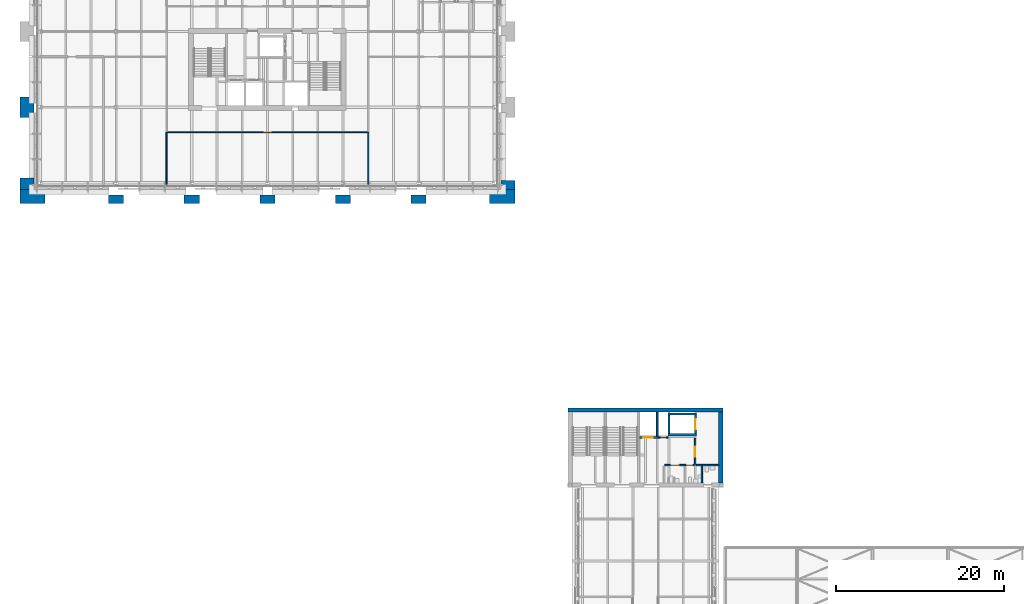
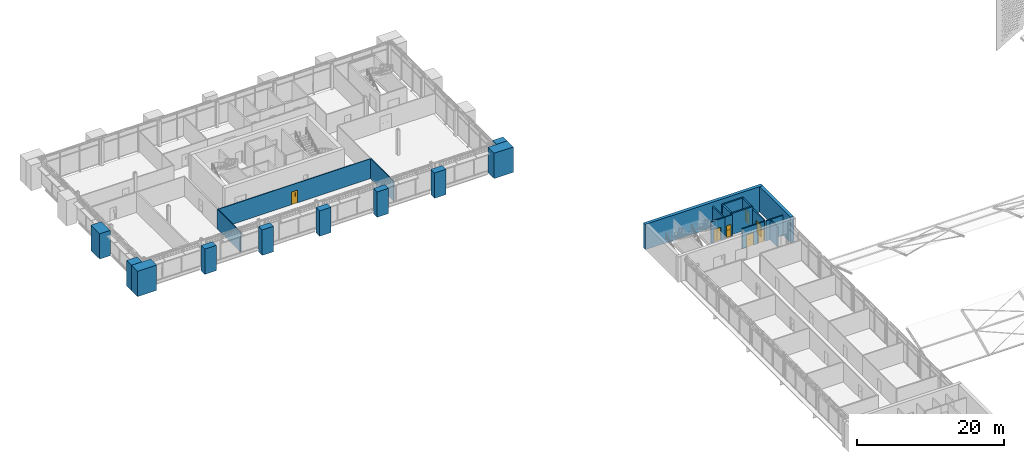
# One storey, part 25 of 54: 28 walls, 7 doors, 7 openings.
"""IFC4 building model written with IfcOpenShell, lengths in metres."""

import ifcopenshell
import ifcopenshell.guid

model = None  # the IFC model being written
_history = None  # IfcOwnerHistory: only IFC2X3 demands one
_inside = {}  # id of a spatial element -> (the spatial element, [elements in it])
_under = {}  # id of a project, library or spatial element -> (it, [spatial elements below it])
_declared = {}  # id of a project -> (the project, [libraries it declares])
_typed = {}  # id of a type object -> (the type object, [elements of that type])
_made_of = {}  # id of a material, layer set ... -> (it, [elements and type objects made of it])


def new_model(schema):
    """Start an empty IFC model of exactly this schema.

    Asked for "IFC4X3", IfcOpenShell would pick the latest addendum, in which some entities
    have other attributes; the version numbers below select the first issue.
    IFC2X3 requires an IfcOwnerHistory on every rooted entity: one is made here for all.
    """
    global model, _history
    if schema == "IFC4X3":
        model = ifcopenshell.file(schema_version=(4, 3, 0, 0))
    else:
        model = ifcopenshell.file(schema=schema)
    _inside.clear()
    _under.clear()
    _declared.clear()
    _typed.clear()
    _made_of.clear()
    _history = None
    if model.schema == "IFC2X3":
        org = make("IfcOrganization", Name="unknown")
        user = make(
            "IfcPersonAndOrganization",
            ThePerson=make("IfcPerson", FamilyName="unknown"),
            TheOrganization=org,
        )
        app = make(
            "IfcApplication",
            ApplicationDeveloper=org,
            Version="unknown",
            ApplicationFullName="unknown",
            ApplicationIdentifier="unknown",
        )
        _history = make(
            "IfcOwnerHistory",
            OwningUser=user,
            OwningApplication=app,
            ChangeAction="ADDED",
            CreationDate=0,
        )
    return model


def make(cls, **values):
    """One entity of the class cls with the attributes given. An attribute that is None is left unset."""
    return model.create_entity(
        cls, **{name: value for name, value in values.items() if value is not None}
    )


def rooted(cls, **values):
    """An entity with a GlobalId (a new one), such as an element, a storey or a relation."""
    return make(cls, GlobalId=ifcopenshell.guid.new(), OwnerHistory=_history, **values)


def si_unit(unit_type, name, prefix=None):
    """IfcSIUnit, for example si_unit("LENGTHUNIT", "METRE", prefix="MILLI")."""
    return make("IfcSIUnit", UnitType=unit_type, Prefix=prefix, Name=name)


def assignment(units):
    """IfcUnitAssignment: the units of a project."""
    return None if units is None else make("IfcUnitAssignment", Units=units)


def point(xyz):
    """IfcCartesianPoint."""
    return None if xyz is None else make("IfcCartesianPoint", Coordinates=xyz)


def direction(xyz):
    """IfcDirection."""
    return None if xyz is None else make("IfcDirection", DirectionRatios=xyz)


def frame(location, z_axis=None, x_axis=None):
    """IfcAxis2Placement3D, a coordinate frame: its origin and axes. An axis left out is left unset."""
    return make(
        "IfcAxis2Placement3D",
        Location=point(location),
        Axis=direction(z_axis),
        RefDirection=direction(x_axis),
    )


def frame_2d(location, x_axis=None):
    """IfcAxis2Placement2D, a coordinate frame in the plane: its origin and x axis."""
    return make(
        "IfcAxis2Placement2D", Location=point(location), RefDirection=direction(x_axis)
    )


def origin():
    """The frame at (0, 0, 0) with its axes left unset."""
    return frame((0.0, 0.0, 0.0))


def place(relative_to, where):
    """IfcLocalPlacement: puts the frame where relative to a parent placement (None: the world)."""
    return make(
        "IfcLocalPlacement", PlacementRelTo=relative_to, RelativePlacement=where
    )


def context(
    kind, dimensions, precision=None, world=None, true_north=None, identifier=None
):
    """IfcGeometricRepresentationContext, for example the 3D "Model" context."""
    return make(
        "IfcGeometricRepresentationContext",
        ContextIdentifier=identifier,
        ContextType=kind,
        CoordinateSpaceDimension=dimensions,
        Precision=precision,
        WorldCoordinateSystem=world,
        TrueNorth=true_north,
    )


def subcontext(parent, identifier, kind, view, scale=None):
    """IfcGeometricRepresentationSubContext, for example "Body" below "Model"."""
    return make(
        "IfcGeometricRepresentationSubContext",
        ContextIdentifier=identifier,
        ContextType=kind,
        ParentContext=parent,
        TargetScale=scale,
        TargetView=view,
    )


def project(units=None, contexts=None):
    """IfcProject with its units and contexts."""
    return rooted(
        "IfcProject",
        Name="project",
        RepresentationContexts=contexts,
        UnitsInContext=assignment(units),
    )


def spatial(cls, under=None, at=None, **own):
    """A site, building, storey or space (cls), placed at a placement, below another one or the project."""
    s = rooted(cls, ObjectPlacement=at, **own)
    if under is not None:
        _under.setdefault(under.id(), (under, []))[1].append(s)
    return s


def polyline(points):
    """IfcPolyline through the points."""
    return make("IfcPolyline", Points=[point(p) for p in points])


def profile(cls, at=None, kind="AREA", **sizes):
    """A parametric profile (cls). Its sizes go by their IFC names, for example OverallWidth=200.0."""
    return make(cls, ProfileType=kind, Position=at, **sizes)


def rectangle(**sizes):
    """IfcRectangleProfileDef."""
    return profile("IfcRectangleProfileDef", **sizes)


def outline(outer, holes=None, kind="AREA"):
    """IfcArbitraryClosedProfileDef: a profile drawn as a closed curve; with holes, ...WithVoids."""
    if holes is None:
        return make("IfcArbitraryClosedProfileDef", ProfileType=kind, OuterCurve=outer)
    return make(
        "IfcArbitraryProfileDefWithVoids",
        ProfileType=kind,
        OuterCurve=outer,
        InnerCurves=holes,
    )


def extrude(swept, where, along, depth):
    """IfcExtrudedAreaSolid: the profile swept, set in the frame where, extruded along a direction by depth."""
    return make(
        "IfcExtrudedAreaSolid",
        SweptArea=swept,
        Position=where,
        ExtrudedDirection=direction(along),
        Depth=depth,
    )


def shape(context_of_items, identifier, shape_type, items):
    """IfcShapeRepresentation: the items that make up one representation, for example the "Body"."""
    return make(
        "IfcShapeRepresentation",
        ContextOfItems=context_of_items,
        RepresentationIdentifier=identifier,
        RepresentationType=shape_type,
        Items=items,
    )


def material(Name=None, Category=None):
    """IfcMaterial."""
    return make("IfcMaterial", Name=Name, Category=Category)


def layer(
    of_material, thickness, ventilated=None, Name=None, Category=None, Priority=None
):
    """IfcMaterialLayer: one layer of a wall or slab, of a material (None: an air gap)."""
    return make(
        "IfcMaterialLayer",
        Material=of_material,
        LayerThickness=thickness,
        IsVentilated=ventilated,
        Name=Name,
        Category=Category,
        Priority=Priority,
    )


def layer_set(layers, Name=None):
    """IfcMaterialLayerSet."""
    return make("IfcMaterialLayerSet", MaterialLayers=layers, LayerSetName=Name)


def made_of(thing, what):
    """Note that an element or type object is made of a material, layer set ...; save() writes the relation."""
    if what is not None:
        _made_of.setdefault(what.id(), (what, []))[1].append(thing)
    return thing


def type_object(cls, material=None, **own):
    """A type object (cls), such as IfcWallType, which elements share."""
    return made_of(rooted(cls, **own), material)


def element(
    cls,
    number,
    at=None,
    inside=None,
    cuts=None,
    type_object=None,
    material=None,
    context=None,
    identifier="Body",
    shape_type=None,
    held_by="IfcProductDefinitionShape",
    body=None,
    shapes=None,
    **own,
):
    """One element of the class cls, such as IfcWall. Its Tag is "e" and its number.

    at: its placement. inside: the storey or other place that contains it. cuts: it is an
    opening in that element (IfcRelVoidsElement). A single representation is given by context,
    identifier, shape_type and body (its items); several are given by shapes. held_by: the class
    of the entity that holds the representations. save() writes the other relations.
    """
    e = rooted(cls, Tag="e%d" % number, ObjectPlacement=at, **own)
    if body is not None:
        shapes = [shape(context, identifier, shape_type, body)]
    if shapes is not None:
        e.Representation = make(held_by, Representations=shapes)
    if inside is not None:
        _inside.setdefault(inside.id(), (inside, []))[1].append(e)
    if cuts is not None:
        rooted(
            "IfcRelVoidsElement", RelatingBuildingElement=cuts, RelatedOpeningElement=e
        )
    if type_object is not None:
        _typed.setdefault(type_object.id(), (type_object, []))[1].append(e)
    return made_of(e, material)


def fill(opening, filler):
    """IfcRelFillsElement: the door or window that sits in an opening."""
    return rooted(
        "IfcRelFillsElement",
        RelatingOpeningElement=opening,
        RelatedBuildingElement=filler,
    )


def aggregate(whole, parts):
    """IfcRelAggregates: a whole, such as a stair, and the parts it consists of."""
    return rooted("IfcRelAggregates", RelatingObject=whole, RelatedObjects=parts)


def save(model, path):
    """Write the relations noted so far, then the file.

    IfcRelAggregates (storeys below a building ...), IfcRelContainedInSpatialStructure (elements
    in a storey), IfcRelDefinesByType, IfcRelAssociatesMaterial and IfcRelDeclares: one each for
    every whole, place, type object, material and project.
    """
    for whole, parts in _under.values():
        aggregate(whole, parts)
    for where, things in _inside.values():
        rooted(
            "IfcRelContainedInSpatialStructure",
            RelatedElements=things,
            RelatingStructure=where,
        )
    for kind, things in _typed.values():
        rooted("IfcRelDefinesByType", RelatedObjects=things, RelatingType=kind)
    for what, things in _made_of.values():
        rooted("IfcRelAssociatesMaterial", RelatedObjects=things, RelatingMaterial=what)
    for by, libraries in _declared.values():
        rooted("IfcRelDeclares", RelatingContext=by, RelatedDefinitions=libraries)
    model.write(path)


model = new_model("IFC4")

# Units and contexts
model_context = context("Model", 3, precision=1e-05, world=origin(), true_north=direction((0.0, 1.0)))
body_context = subcontext(model_context, "Body", "Model", "MODEL_VIEW")
ifc_project = project(units=[si_unit("LENGTHUNIT", "METRE"), si_unit("AREAUNIT", "SQUARE_METRE"), si_unit("VOLUMEUNIT", "CUBIC_METRE"), si_unit("PLANEANGLEUNIT", "RADIAN"), si_unit("MASSUNIT", "GRAM", prefix="KILO")], contexts=[model_context])

# Site, building, storey
site_placement = place(None, origin())
site = spatial("IfcSite", under=ifc_project, at=site_placement, CompositionType="ELEMENT")
building_placement = place(site_placement, origin())
building = spatial("IfcBuilding", under=site, at=building_placement, Name="Baradari Gate Terminus", CompositionType="ELEMENT")
storey_placement = place(building_placement, frame((0.0, 0.0, 15.89990234375)))
storey = spatial("IfcBuildingStorey", under=building, at=storey_placement, Name="L03", CompositionType="ELEMENT", Elevation=15.89990234375)

# Walls
ifc_material_1 = material(Name="Concrete C40/50", Category="concrete")
ifc_layer_1 = layer(ifc_material_1, 0.5)
ifc_layer_set_1 = layer_set([ifc_layer_1], Name="Concrete C40/50")
wall_type_1 = type_object("IfcWallType", Name="Abutment core wall CWL05 500", PredefinedType="SOLIDWALL", material=ifc_layer_set_1)
wall_1_placement = place(storey_placement, frame((71.800048828125, 89.949951171875, 0.0), z_axis=(0.0, 0.0, 1.0), x_axis=(1.0, 0.0, 0.0)))
element("IfcWall", 1, at=wall_1_placement, inside=storey, type_object=wall_type_1, Name="Abutment core wall GN N L03", PredefinedType="SOLIDWALL", context=body_context, shape_type="SweptSolid", body=[
    extrude(rectangle(XDim=18.39990234375, YDim=0.5, at=frame_2d((9.199951171875, 0.0))), origin(), (0.0, 0.0, 1.0), 4.2001953125),
])
wall_2_placement = place(storey_placement, frame((89.949951171875, 81.300048828125, 0.0), z_axis=(0.0, 0.0, 1.0), x_axis=(0.0, 1.0, 0.0)))
element("IfcWall", 2, at=wall_2_placement, inside=storey, type_object=wall_type_1, Name="Abutment core wall GN E L03", PredefinedType="SOLIDWALL", context=body_context, shape_type="SweptSolid", body=[
    extrude(rectangle(XDim=8.39990234375, YDim=0.5, at=frame_2d((4.199951171875, 0.0))), origin(), (0.0, 0.0, 1.0), 4.2001953125),
])

# Wall, opening, door
ifc_material_2 = material(Name="Gypsum board")
ifc_layer_2 = layer(ifc_material_2, 0.125)
ifc_layer_set_2 = layer_set([ifc_layer_2], Name="Gypsum board")
wall_type_2 = type_object("IfcWallType", Name="Corridor partition PT-5 125 EI 30", PredefinedType="PARTITIONING", material=ifc_layer_set_2)
wall_3_placement = place(storey_placement, frame((47.925048828125, 123.0, 0.0), z_axis=(0.0, 0.0, 1.0), x_axis=(-1.0, 0.0, 0.0)))
wall_3 = element("IfcWall", 3, at=wall_3_placement, inside=storey, type_object=wall_type_2, Name="PT-5 partition Corridor / Control Floor Gallery", PredefinedType="PARTITIONING", context=body_context, shape_type="SweptSolid", body=[
    extrude(rectangle(XDim=23.85009765625, YDim=0.125, at=frame_2d((11.925048828125, 0.0))), origin(), (0.0, 0.0, 1.0), 3.287109375),
])
opening_1_placement = place(wall_3_placement, frame((11.425048828125, 0.0, 0.0)))
opening_1 = element("IfcOpeningElement", 4, at=opening_1_placement, cuts=wall_3, Name="Opening D03-025", PredefinedType="OPENING", context=body_context, shape_type="SweptSolid", body=[
    extrude(rectangle(XDim=1.0, YDim=2.10009765625, at=frame_2d((0.5, 1.050048828125))), frame((0.0, 0.072509765625, 0.0), z_axis=(0.0, -1.0, 0.0), x_axis=(1.0, 0.0, 0.0)), (0.0, 0.0, 1.0), 0.14501953125),
])
ifc_material_3 = material(Name="Steel S275", Category="steel")
door_type_1 = type_object("IfcDoorType", Name="Fire door FI-1000-FD30S 1000x2100 FD30S", OperationType="SINGLE_SWING_LEFT", PredefinedType="DOOR", material=ifc_material_3)
door_1_placement = place(opening_1_placement, origin())
door_1 = element("IfcDoor", 5, at=door_1_placement, inside=storey, type_object=door_type_1, Name="Door Control Floor Gallery", OperationType="SINGLE_SWING_LEFT", OverallHeight=2.1, OverallWidth=1.0, PredefinedType="DOOR", context=body_context, shape_type="SweptSolid", body=[
    extrude(outline(polyline([(0.0, 0.0), (0.070068359375, 0.0), (0.070068359375, 2.030029296875), (0.929931640625, 2.030029296875), (0.929931640625, 0.0), (1.0, 0.0), (1.0, 2.10009765625), (0.0, 2.10009765625), (0.0, 0.0)])), frame((0.0, 0.02490234375, 0.0), z_axis=(0.0, -1.0, 0.0), x_axis=(1.0, 0.0, 0.0)), (0.0, 0.0, 1.0), 0.050048828125),
    extrude(outline(polyline([(0.073974609375, 0.010009765625), (0.926025390625, 0.010009765625), (0.926025390625, 2.026123046875), (0.073974609375, 2.026123046875), (0.073974609375, 0.010009765625)]), holes=[polyline([(0.194091796875, 0.159912109375), (0.805908203125, 0.159912109375), (0.805908203125, 1.010009765625), (0.194091796875, 1.010009765625), (0.194091796875, 0.159912109375)]), polyline([(0.35009765625, 1.159912109375), (0.64990234375, 1.159912109375), (0.64990234375, 1.760009765625), (0.35009765625, 1.760009765625), (0.35009765625, 1.159912109375)])]), frame((0.0, 0.017333984375, 0.0), z_axis=(0.0, -1.0, 0.0), x_axis=(1.0, 0.0, 0.0)), (0.0, 0.0, 1.0), 0.034912109375),
    extrude(rectangle(XDim=0.61181640625, YDim=0.85009765625, at=frame_2d((0.5, 0.5849609375))), frame((0.0, 0.008544921875, 0.0), z_axis=(0.0, -1.0, 0.0), x_axis=(1.0, 0.0, 0.0)), (0.0, 0.0, 1.0), 0.017333984375),
    extrude(rectangle(XDim=0.2998046875, YDim=0.60009765625, at=frame_2d((0.5, 1.4599609375))), frame((0.0, 0.005859375, 0.0), z_axis=(0.0, -1.0, 0.0), x_axis=(1.0, 0.0, 0.0)), (0.0, 0.0, 1.0), 0.011962890625),
])
fill(opening_1, door_1)

# Walls
ifc_material_4 = material(Name="Concrete C32/40", Category="concrete")
ifc_layer_3 = layer(ifc_material_4, 0.25)
ifc_layer_set_3 = layer_set([ifc_layer_3], Name="Concrete C32/40")
wall_type_3 = type_object("IfcWallType", Name="Firefighting lift shaft wall SH-2 250 EI 120", PredefinedType="SOLIDWALL", material=ifc_layer_set_3)
for number, where, z_axis, x_axis, name in (
    (6, (83.64990234375, 87.02490234375, 0.0), (0.0, 0.0, 1.0), (1.0, 0.0, 0.0), "Lift shaft wall LGN2 L03 S"),
    (7, (83.64990234375, 89.47509765625, 0.0), (0.0, 0.0, 1.0), (1.0, 0.0, 0.0), "Lift shaft wall LGN2 L03 N"),
):
    element("IfcWall", number, at=place(storey_placement, frame(where, z_axis=z_axis, x_axis=x_axis)), inside=storey, type_object=wall_type_3, Name=name, PredefinedType="SOLIDWALL", context=body_context, shape_type="SweptSolid", body=[
        extrude(rectangle(XDim=3.400146484375, YDim=0.25, at=frame_2d((1.7001953125, 0.0))), origin(), (0.0, 0.0, 1.0), 3.51611328125),
    ])
wall_4_placement = place(storey_placement, frame((83.77490234375, 87.14990234375, 0.0), z_axis=(0.0, 0.0, 1.0), x_axis=(0.0, 1.0, 0.0)))
element("IfcWall", 8, at=wall_4_placement, inside=storey, type_object=wall_type_3, Name="Lift shaft wall LGN2 L03 W", PredefinedType="SOLIDWALL", context=body_context, shape_type="SweptSolid", body=[
    extrude(rectangle(XDim=2.2001953125, YDim=0.25, at=frame_2d((1.10009765625, 0.0))), origin(), (0.0, 0.0, 1.0), 3.51611328125),
])

# Wall, opening, door
wall_5_placement = place(storey_placement, frame((86.925048828125, 87.14990234375, 0.0), z_axis=(0.0, 0.0, 1.0), x_axis=(0.0, 1.0, 0.0)))
wall_5 = element("IfcWall", 9, at=wall_5_placement, inside=storey, type_object=wall_type_3, Name="Lift shaft wall LGN2 L03 E", PredefinedType="SOLIDWALL", context=body_context, shape_type="SweptSolid", body=[
    extrude(rectangle(XDim=2.2001953125, YDim=0.25, at=frame_2d((1.10009765625, 0.0))), origin(), (0.0, 0.0, 1.0), 3.51611328125),
])
opening_2_placement = place(wall_5_placement, frame((0.5, 0.0, 0.0)))
opening_2 = element("IfcOpeningElement", 10, at=opening_2_placement, cuts=wall_5, Name="Opening D03-002", PredefinedType="OPENING", context=body_context, shape_type="SweptSolid", body=[
    extrude(rectangle(XDim=1.199951171875, YDim=2.10009765625, at=frame_2d((0.60009765625, 1.050048828125))), frame((0.0, 0.135009765625, 0.0), z_axis=(0.0, -1.0, 0.0), x_axis=(1.0, 0.0, 0.0)), (0.0, 0.0, 1.0), 0.27001953125),
])
ifc_material_5 = material(Name="Stainless steel 1.4301", Category="steel")
door_type_2 = type_object("IfcDoorType", Name="Lift landing door LD2 1200x2100 E 120", OperationType="SLIDING_TO_LEFT", PredefinedType="DOOR", material=ifc_material_5)
door_2_placement = place(opening_2_placement, origin())
door_2 = element("IfcDoor", 11, at=door_2_placement, inside=storey, type_object=door_type_2, Name="Lift landing door LGN2 L03", OperationType="SLIDING_TO_LEFT", OverallHeight=2.1, OverallWidth=1.2, PredefinedType="DOOR", context=body_context, shape_type="SweptSolid", body=[
    extrude(outline(polyline([(0.0, 0.0), (0.070068359375, 0.0), (0.070068359375, 2.030029296875), (1.1298828125, 2.030029296875), (1.1298828125, 0.0), (1.199951171875, 0.0), (1.199951171875, 2.10009765625), (0.0, 2.10009765625), (0.0, 0.0)])), frame((0.0, 0.02490234375, 0.0), z_axis=(0.0, -1.0, 0.0), x_axis=(1.0, 0.0, 0.0)), (0.0, 0.0, 1.0), 0.050048828125),
    extrude(rectangle(XDim=0.57861328125, YDim=2.01611328125, at=frame_2d((0.36328125, 1.01806640625))), frame((0.0, 0.017822265625, 0.0), z_axis=(0.0, -1.0, 0.0), x_axis=(1.0, 0.0, 0.0)), (0.0, 0.0, 1.0), 0.015869140625),
    extrude(rectangle(XDim=0.57470703125, YDim=2.01611328125, at=frame_2d((0.838623046875, 1.01806640625))), frame((0.0, -0.002197265625, 0.0), z_axis=(0.0, -1.0, 0.0), x_axis=(1.0, 0.0, 0.0)), (0.0, 0.0, 1.0), 0.015869140625),
])
fill(opening_2, door_2)

ifc_material_6 = material(Name="Blockwork wall, fire rated", Category="masonry")
ifc_layer_4 = layer(ifc_material_6, 0.199951171875)
ifc_layer_set_4 = layer_set([ifc_layer_4], Name="Blockwork wall, fire rated")
wall_type_4 = type_object("IfcWallType", Name="Lift shaft wall SH-1 200 EI 120", PredefinedType="SOLIDWALL", material=ifc_layer_set_4)
wall_6_placement = place(storey_placement, frame((80.302001953125, 86.699951171875, 0.0), z_axis=(0.0, 0.0, 1.0), x_axis=(1.0, 0.0, 0.0)))
wall_6 = element("IfcWall", 12, at=wall_6_placement, inside=storey, type_object=wall_type_4, Name="Lift shaft wall LGN1 L03 S", PredefinedType="SOLIDWALL", context=body_context, shape_type="SweptSolid", body=[
    extrude(rectangle(XDim=2.197998046875, YDim=0.199951171875, at=frame_2d((1.09912109375, 0.0))), origin(), (0.0, 0.0, 1.0), 3.51611328125),
])
opening_3_placement = place(wall_6_placement, frame((0.447998046875, 0.0, 0.0)))
opening_3 = element("IfcOpeningElement", 13, at=opening_3_placement, cuts=wall_6, Name="Opening D03-001", PredefinedType="OPENING", context=body_context, shape_type="SweptSolid", body=[
    extrude(rectangle(XDim=1.10009765625, YDim=2.10009765625, at=frame_2d((0.550048828125, 1.050048828125))), frame((0.0, 0.10986328125, 0.0), z_axis=(0.0, -1.0, 0.0), x_axis=(1.0, 0.0, 0.0)), (0.0, 0.0, 1.0), 0.219970703125),
])
ifc_material_7 = material(Name="Stainless steel 1.4301", Category="steel")
door_type_3 = type_object("IfcDoorType", Name="Lift landing door LD 1100x2100 E 120", OperationType="SLIDING_TO_LEFT", PredefinedType="DOOR", material=ifc_material_7)
door_3_placement = place(opening_3_placement, origin())
door_3 = element("IfcDoor", 14, at=door_3_placement, inside=storey, type_object=door_type_3, Name="Lift landing door LGN1 L03", OperationType="SLIDING_TO_LEFT", OverallHeight=2.1, OverallWidth=1.1, PredefinedType="DOOR", context=body_context, shape_type="SweptSolid", body=[
    extrude(outline(polyline([(0.0, 0.0), (0.070068359375, 0.0), (0.070068359375, 2.030029296875), (1.030029296875, 2.030029296875), (1.030029296875, 0.0), (1.10009765625, 0.0), (1.10009765625, 2.10009765625), (0.0, 2.10009765625), (0.0, 0.0)])), frame((0.0, 0.02490234375, 0.0), z_axis=(0.0, -1.0, 0.0), x_axis=(1.0, 0.0, 0.0)), (0.0, 0.0, 1.0), 0.050048828125),
    extrude(rectangle(XDim=0.523681640625, YDim=2.01611328125, at=frame_2d((0.3359375, 1.01806640625))), frame((0.0, 0.017822265625, 0.0), z_axis=(0.0, -1.0, 0.0), x_axis=(1.0, 0.0, 0.0)), (0.0, 0.0, 1.0), 0.015869140625),
    extrude(rectangle(XDim=0.519775390625, YDim=2.01611328125, at=frame_2d((0.76611328125, 1.01806640625))), frame((0.0, -0.002197265625, 0.0), z_axis=(0.0, -1.0, 0.0), x_axis=(1.0, 0.0, 0.0)), (0.0, 0.0, 1.0), 0.015869140625),
])
fill(opening_3, door_3)

# Wall
wall_7_placement = place(storey_placement, frame((82.39990234375, 86.800048828125, 0.0), z_axis=(0.0, 0.0, 1.0), x_axis=(0.0, 1.0, 0.0)))
element("IfcWall", 15, at=wall_7_placement, inside=storey, type_object=wall_type_4, Name="Lift shaft wall LGN1 L03 E", PredefinedType="SOLIDWALL", context=body_context, shape_type="SweptSolid", body=[
    extrude(rectangle(XDim=2.89794921875, YDim=0.199951171875, at=frame_2d((1.448974609375, 0.0))), origin(), (0.0, 0.0, 1.0), 3.51611328125),
])

# Wall, opening, door
ifc_material_8 = material(Name="Blockwork wall, plastered, fire rated", Category="masonry")
ifc_layer_5 = layer(ifc_material_8, 0.199951171875)
ifc_layer_set_5 = layer_set([ifc_layer_5], Name="Blockwork wall, plastered, fire rated")
wall_type_5 = type_object("IfcWallType", Name="Lobby partition PT-4 200 EI 60", PredefinedType="PARTITIONING", material=ifc_layer_set_5)
wall_8_placement = place(storey_placement, frame((86.89990234375, 86.60009765625, 0.0), z_axis=(0.0, 0.0, 1.0), x_axis=(0.0, -1.0, 0.0)))
wall_8 = element("IfcWall", 16, at=wall_8_placement, inside=storey, type_object=wall_type_5, Name="PT-4 partition Lift Lobby / Lift Lobby (Fire-fighting)", PredefinedType="PARTITIONING", context=body_context, shape_type="SweptSolid", body=[
    extrude(rectangle(XDim=3.10009765625, YDim=0.199951171875, at=frame_2d((1.550048828125, 0.0))), origin(), (0.0, 0.0, 1.0), 3.382080078125),
])
opening_4_placement = place(wall_8_placement, frame((1.0, 0.0, 0.0)))
opening_4 = element("IfcOpeningElement", 17, at=opening_4_placement, cuts=wall_8, Name="Opening D03-030", PredefinedType="OPENING", context=body_context, shape_type="SweptSolid", body=[
    extrude(rectangle(XDim=1.199951171875, YDim=2.10009765625, at=frame_2d((0.60009765625, 1.050048828125))), frame((0.0, 0.10986328125, 0.0), z_axis=(0.0, -1.0, 0.0), x_axis=(1.0, 0.0, 0.0)), (0.0, 0.0, 1.0), 0.219970703125),
])
ifc_material_9 = material(Name="Steel S275", Category="steel")
door_type_4 = type_object("IfcDoorType", Name="Fire door FI-1200-FD60S 1200x2100 FD60S", OperationType="DOUBLE_DOOR_SINGLE_SWING", PredefinedType="DOOR", material=ifc_material_9)
door_4_placement = place(opening_4_placement, origin())
door_4 = element("IfcDoor", 18, at=door_4_placement, inside=storey, type_object=door_type_4, Name="Door Lift Lobby (Fire-fighting)", OperationType="DOUBLE_DOOR_SINGLE_SWING", OverallHeight=2.1, OverallWidth=1.2, PredefinedType="DOOR", context=body_context, shape_type="SweptSolid", body=[
    extrude(outline(polyline([(0.0, 0.0), (0.070068359375, 0.0), (0.070068359375, 2.030029296875), (1.1298828125, 2.030029296875), (1.1298828125, 0.0), (1.199951171875, 0.0), (1.199951171875, 2.10009765625), (0.0, 2.10009765625), (0.0, 0.0)])), frame((0.0, 0.02490234375, 0.0), z_axis=(0.0, -1.0, 0.0), x_axis=(1.0, 0.0, 0.0)), (0.0, 0.0, 1.0), 0.050048828125),
    extrude(outline(polyline([(0.073974609375, 0.010009765625), (0.596923828125, 0.010009765625), (0.596923828125, 2.026123046875), (0.073974609375, 2.026123046875), (0.073974609375, 0.010009765625)]), holes=[polyline([(0.178466796875, 0.372802734375), (0.492431640625, 0.372802734375), (0.492431640625, 1.7841796875), (0.178466796875, 1.7841796875), (0.178466796875, 0.372802734375)])]), frame((0.0, 0.017333984375, 0.0), z_axis=(0.0, -1.0, 0.0), x_axis=(1.0, 0.0, 0.0)), (0.0, 0.0, 1.0), 0.034912109375),
    extrude(rectangle(XDim=0.31396484375, YDim=1.411376953125, at=frame_2d((0.33544921875, 1.07861328125))), frame((0.0, 0.008544921875, 0.0), z_axis=(0.0, -1.0, 0.0), x_axis=(1.0, 0.0, 0.0)), (0.0, 0.0, 1.0), 0.017333984375),
    extrude(outline(polyline([(0.60302734375, 0.010009765625), (1.1259765625, 0.010009765625), (1.1259765625, 2.026123046875), (0.60302734375, 2.026123046875), (0.60302734375, 0.010009765625)]), holes=[polyline([(0.70751953125, 0.372802734375), (1.021484375, 0.372802734375), (1.021484375, 1.7841796875), (0.70751953125, 1.7841796875), (0.70751953125, 0.372802734375)])]), frame((0.0, 0.017333984375, 0.0), z_axis=(0.0, -1.0, 0.0), x_axis=(1.0, 0.0, 0.0)), (0.0, 0.0, 1.0), 0.034912109375),
    extrude(rectangle(XDim=0.31396484375, YDim=1.411376953125, at=frame_2d((0.864501953125, 1.07861328125))), frame((0.0, 0.008544921875, 0.0), z_axis=(0.0, -1.0, 0.0), x_axis=(1.0, 0.0, 0.0)), (0.0, 0.0, 1.0), 0.017333984375),
])
fill(opening_4, door_4)

# Walls
ifc_material_10 = material(Name="Blockwork wall, plastered", Category="masonry")
ifc_layer_6 = layer(ifc_material_10, 0.14990234375)
ifc_layer_set_6 = layer_set([ifc_layer_6], Name="Blockwork wall, plastered")
wall_type_6 = type_object("IfcWallType", Name="Partition PT-2 150 EI 60", PredefinedType="PARTITIONING", material=ifc_layer_set_6)
for number, where, z_axis, x_axis, name in (
    (19, (24.0, 123.0, 0.0), (0.0, 0.0, 1.0), (0.0, -1.0, 0.0), "PT-2 partition Dispatch Office / Control Floor Gallery"),
    (20, (48.0, 116.705078125, 0.0), (0.0, 0.0, 1.0), (0.0, 1.0, 0.0), "PT-2 partition Crew Booking Hall / Control Floor Gallery"),
):
    element("IfcWall", number, at=place(storey_placement, frame(where, z_axis=z_axis, x_axis=x_axis)), inside=storey, type_object=wall_type_6, Name=name, PredefinedType="PARTITIONING", context=body_context, shape_type="SweptSolid", body=[
        extrude(rectangle(XDim=6.294921875, YDim=0.14990234375, at=frame_2d((3.1474609375, 0.0))), origin(), (0.0, 0.0, 1.0), 3.30712890625),
    ])

# Wall, opening, door
ifc_material_11 = material(Name="Blockwork wall, fire rated", Category="masonry")
ifc_layer_7 = layer(ifc_material_11, 0.14990234375)
ifc_layer_set_7 = layer_set([ifc_layer_7], Name="Blockwork wall, fire rated")
wall_type_7 = type_object("IfcWallType", Name="Riser wall RW-1 150 EI 120", PredefinedType="SOLIDWALL", material=ifc_layer_set_7)
wall_9_placement = place(storey_placement, frame((82.501953125, 86.699951171875, 0.0), z_axis=(0.0, 0.0, 1.0), x_axis=(1.0, 0.0, 0.0)))
wall_9 = element("IfcWall", 21, at=wall_9_placement, inside=storey, type_object=wall_type_7, Name="RW-1 partition Lift Lobby / Riser", PredefinedType="SOLIDWALL", context=body_context, shape_type="SweptSolid", body=[
    extrude(rectangle(XDim=1.197998046875, YDim=0.14990234375, at=frame_2d((0.59912109375, 0.0))), origin(), (0.0, 0.0, 1.0), 3.51611328125),
])
opening_5_placement = place(wall_9_placement, frame((0.248046875, 0.0, 0.0)))
opening_5 = element("IfcOpeningElement", 22, at=opening_5_placement, cuts=wall_9, Name="Opening D03-031", PredefinedType="OPENING", context=body_context, shape_type="SweptSolid", body=[
    extrude(rectangle(XDim=0.699951171875, YDim=2.0, at=frame_2d((0.35009765625, 1.0))), frame((0.0, 0.0849609375, 0.0), z_axis=(0.0, -1.0, 0.0), x_axis=(1.0, 0.0, 0.0)), (0.0, 0.0, 1.0), 0.169921875),
])
ifc_material_12 = material(Name="Steel S275", Category="steel")
door_type_5 = type_object("IfcDoorType", Name="Fire door FI-700x2000-FD90S 700x2000 FD90S", OperationType="SINGLE_SWING_LEFT", PredefinedType="DOOR", material=ifc_material_12)
door_5_placement = place(opening_5_placement, origin())
door_5 = element("IfcDoor", 23, at=door_5_placement, inside=storey, type_object=door_type_5, Name="Door Riser", OperationType="SINGLE_SWING_LEFT", OverallHeight=2.0, OverallWidth=0.7, PredefinedType="DOOR", context=body_context, shape_type="SweptSolid", body=[
    extrude(outline(polyline([(0.0, 0.0), (0.070068359375, 0.0), (0.070068359375, 1.929931640625), (0.6298828125, 1.929931640625), (0.6298828125, 0.0), (0.699951171875, 0.0), (0.699951171875, 2.0), (0.0, 2.0), (0.0, 0.0)])), frame((0.0, 0.02490234375, 0.0), z_axis=(0.0, -1.0, 0.0), x_axis=(1.0, 0.0, 0.0)), (0.0, 0.0, 1.0), 0.050048828125),
    extrude(outline(polyline([(0.073974609375, 0.010009765625), (0.6259765625, 0.010009765625), (0.6259765625, 1.926025390625), (0.073974609375, 1.926025390625), (0.073974609375, 0.010009765625)]), holes=[polyline([(0.184326171875, 0.159912109375), (0.515625, 0.159912109375), (0.515625, 1.010009765625), (0.184326171875, 1.010009765625), (0.184326171875, 0.159912109375)]), polyline([(0.199951171875, 1.159912109375), (0.5, 1.159912109375), (0.5, 1.760009765625), (0.199951171875, 1.760009765625), (0.199951171875, 1.159912109375)])]), frame((0.0, 0.017333984375, 0.0), z_axis=(0.0, -1.0, 0.0), x_axis=(1.0, 0.0, 0.0)), (0.0, 0.0, 1.0), 0.034912109375),
    extrude(rectangle(XDim=0.331298828125, YDim=0.85009765625, at=frame_2d((0.35009765625, 0.5849609375))), frame((0.0, 0.008544921875, 0.0), z_axis=(0.0, -1.0, 0.0), x_axis=(1.0, 0.0, 0.0)), (0.0, 0.0, 1.0), 0.017333984375),
    extrude(rectangle(XDim=0.300048828125, YDim=0.60009765625, at=frame_2d((0.35009765625, 1.4599609375))), frame((0.0, 0.005859375, 0.0), z_axis=(0.0, -1.0, 0.0), x_axis=(1.0, 0.0, 0.0)), (0.0, 0.0, 1.0), 0.011962890625),
])
fill(opening_5, door_5)

# Walls
ifc_material_13 = material(Name="Concrete C40/50 precast", Category="concrete")
ifc_layer_8 = layer(ifc_material_13, 1.55)
ifc_material_14 = material(Name="Sandstone cladding", Category="masonry")
ifc_layer_9 = layer(ifc_material_14, 0.1)
ifc_layer_set_8 = layer_set([ifc_layer_8, ifc_layer_9], Name="Concrete C40/50 precast")
wall_type_8 = type_object("IfcWallType", Name="Sandstone-faced precast frame pier WQ-4 1650", PredefinedType="SOLIDWALL", material=ifc_layer_set_8)
wall_10_placement = place(storey_placement, frame((7.3798828125, 124.800048828125, 0.0), z_axis=(0.0, 0.0, 1.0), x_axis=(0.0, 1.0, 0.0)))
element("IfcWall", 24, at=wall_10_placement, inside=storey, type_object=wall_type_8, Name="Frame pier W face bay 1 a L03", PredefinedType="SOLIDWALL", context=body_context, shape_type="SweptSolid", body=[
    extrude(rectangle(XDim=2.39990234375, YDim=1.64990234375, at=frame_2d((1.199951171875, 0.0))), origin(), (0.0, 0.0, 1.0), 4.2001953125),
])
wall_11_placement = place(storey_placement, frame((62.445068359375, 115.3798828125, 0.0), z_axis=(0.0, 0.0, 1.0), x_axis=(1.0, 0.0, 0.0)))
element("IfcWall", 25, at=wall_11_placement, inside=storey, type_object=wall_type_8, Name="Corner pilaster SE leg A L03", PredefinedType="SOLIDWALL", context=body_context, shape_type="SweptSolid", body=[
    extrude(rectangle(XDim=3.0, YDim=1.64990234375, at=frame_2d((1.5, 0.0))), origin(), (0.0, 0.0, 1.0), 4.2001953125),
])
wall_12_placement = place(storey_placement, frame((64.6201171875, 116.205078125, 0.0), z_axis=(0.0, 0.0, 1.0), x_axis=(0.0, 1.0, 0.0)))
element("IfcWall", 26, at=wall_12_placement, inside=storey, type_object=wall_type_8, Name="Corner pilaster SE leg B L03", PredefinedType="SOLIDWALL", context=body_context, shape_type="SweptSolid", body=[
    extrude(rectangle(XDim=1.099853515625, YDim=1.64990234375, at=frame_2d((0.5498046875, 0.0))), origin(), (0.0, 0.0, 1.0), 4.2001953125),
])
wall_13_placement = place(storey_placement, frame((6.554931640625, 115.3798828125, 0.0), z_axis=(0.0, 0.0, 1.0), x_axis=(1.0, 0.0, 0.0)))
element("IfcWall", 27, at=wall_13_placement, inside=storey, type_object=wall_type_8, Name="Corner pilaster SW leg A L03", PredefinedType="SOLIDWALL", context=body_context, shape_type="SweptSolid", body=[
    extrude(rectangle(XDim=3.0, YDim=1.64990234375, at=frame_2d((1.5, 0.0))), origin(), (0.0, 0.0, 1.0), 4.2001953125),
])
wall_14_placement = place(storey_placement, frame((7.3798828125, 116.205078125, 0.0), z_axis=(0.0, 0.0, 1.0), x_axis=(0.0, 1.0, 0.0)))
element("IfcWall", 28, at=wall_14_placement, inside=storey, type_object=wall_type_8, Name="Corner pilaster SW leg B L03", PredefinedType="SOLIDWALL", context=body_context, shape_type="SweptSolid", body=[
    extrude(rectangle(XDim=1.349853515625, YDim=1.64990234375, at=frame_2d((0.6748046875, 0.0))), origin(), (0.0, 0.0, 1.0), 4.2001953125),
])
ifc_layer_10 = layer(ifc_material_13, 0.9)
ifc_layer_11 = layer(ifc_material_14, 0.1)
ifc_layer_set_9 = layer_set([ifc_layer_10, ifc_layer_11], Name="Concrete C40/50 precast")
wall_type_9 = type_object("IfcWallType", Name="Sandstone-faced precast grid pier WQ-6 1000", PredefinedType="SOLIDWALL", material=ifc_layer_set_9)
for number, where, z_axis, x_axis, name in (
    (29, (17.10009765625, 115.054931640625, 0.0), (0.0, 0.0, 1.0), (1.0, 0.0, 0.0), "Frame pier S face bay 1 a L03"),
    (30, (26.10009765625, 115.054931640625, 0.0), (0.0, 0.0, 1.0), (1.0, 0.0, 0.0), "Frame pier S face bay 1 b L03"),
    (31, (44.10009765625, 115.054931640625, 0.0), (0.0, 0.0, 1.0), (1.0, 0.0, 0.0), "Frame pier S face bay 2 a L03"),
    (32, (53.10009765625, 115.054931640625, 0.0), (0.0, 0.0, 1.0), (1.0, 0.0, 0.0), "Frame pier S face bay 2 b L03"),
    (33, (35.10009765625, 115.054931640625, 0.0), (0.0, 0.0, 1.0), (1.0, 0.0, 0.0), "Grid pier S face grid 36 L03"),
):
    element("IfcWall", number, at=place(storey_placement, frame(where, z_axis=z_axis, x_axis=x_axis)), inside=storey, type_object=wall_type_9, Name=name, PredefinedType="SOLIDWALL", context=body_context, shape_type="SweptSolid", body=[
        extrude(rectangle(XDim=1.7998046875, YDim=1.0, at=frame_2d((0.89990234375, 0.0))), origin(), (0.0, 0.0, 1.0), 4.2001953125),
    ])

# Wall, opening, door
ifc_material_15 = material(Name="Blockwork wall, tiled both faces", Category="masonry")
ifc_layer_12 = layer(ifc_material_15, 0.175048828125)
ifc_layer_set_10 = layer_set([ifc_layer_12], Name="Blockwork wall, tiled both faces")
wall_type_10 = type_object("IfcWallType", Name="WC wet wall PT-6 175 EI 60", PredefinedType="PARTITIONING", material=ifc_layer_set_10)
wall_15_placement = place(storey_placement, frame((85.699951171875, 83.39990234375, 0.0), z_axis=(0.0, 0.0, 1.0), x_axis=(-1.0, 0.0, 0.0)))
wall_15 = element("IfcWall", 34, at=wall_15_placement, inside=storey, type_object=wall_type_10, Name="PT-6 partition Lift Lobby / Accessible WC", PredefinedType="PARTITIONING", context=body_context, shape_type="SweptSolid", body=[
    extrude(rectangle(XDim=2.39990234375, YDim=0.175048828125, at=frame_2d((1.199951171875, 0.0))), origin(), (0.0, 0.0, 1.0), 3.30712890625),
])
opening_6_placement = place(wall_15_placement, frame((0.64990234375, 0.0, 0.0)))
opening_6 = element("IfcOpeningElement", 35, at=opening_6_placement, cuts=wall_15, Name="Opening D03-032", PredefinedType="OPENING", context=body_context, shape_type="SweptSolid", body=[
    extrude(rectangle(XDim=1.10009765625, YDim=2.10009765625, at=frame_2d((0.550048828125, 1.050048828125))), frame((0.0, 0.097412109375, 0.0), z_axis=(0.0, -1.0, 0.0), x_axis=(1.0, 0.0, 0.0)), (0.0, 0.0, 1.0), 0.195068359375),
])
ifc_material_16 = material(Name="Steel S275", Category="steel")
door_type_6 = type_object("IfcDoorType", Name="Fire door FI-1100-FD60S 1100x2100 FD60S", OperationType="SINGLE_SWING_LEFT", PredefinedType="DOOR", material=ifc_material_16)
door_6_placement = place(opening_6_placement, origin())
door_6 = element("IfcDoor", 36, at=door_6_placement, inside=storey, type_object=door_type_6, Name="Door Accessible WC", OperationType="SINGLE_SWING_LEFT", OverallHeight=2.1, OverallWidth=1.1, PredefinedType="DOOR", context=body_context, shape_type="SweptSolid", body=[
    extrude(outline(polyline([(0.0, 0.0), (0.070068359375, 0.0), (0.070068359375, 2.030029296875), (1.030029296875, 2.030029296875), (1.030029296875, 0.0), (1.10009765625, 0.0), (1.10009765625, 2.10009765625), (0.0, 2.10009765625), (0.0, 0.0)])), frame((0.0, 0.02490234375, 0.0), z_axis=(0.0, -1.0, 0.0), x_axis=(1.0, 0.0, 0.0)), (0.0, 0.0, 1.0), 0.050048828125),
    extrude(outline(polyline([(0.073974609375, 0.010009765625), (1.026123046875, 0.010009765625), (1.026123046875, 2.026123046875), (0.073974609375, 2.026123046875), (0.073974609375, 0.010009765625)]), holes=[polyline([(0.194091796875, 0.159912109375), (0.906005859375, 0.159912109375), (0.906005859375, 1.010009765625), (0.194091796875, 1.010009765625), (0.194091796875, 0.159912109375)]), polyline([(0.400146484375, 1.159912109375), (0.699951171875, 1.159912109375), (0.699951171875, 1.760009765625), (0.400146484375, 1.760009765625), (0.400146484375, 1.159912109375)])]), frame((0.0, 0.017333984375, 0.0), z_axis=(0.0, -1.0, 0.0), x_axis=(1.0, 0.0, 0.0)), (0.0, 0.0, 1.0), 0.034912109375),
    extrude(rectangle(XDim=0.7119140625, YDim=0.85009765625, at=frame_2d((0.550048828125, 0.5849609375))), frame((0.0, 0.008544921875, 0.0), z_axis=(0.0, -1.0, 0.0), x_axis=(1.0, 0.0, 0.0)), (0.0, 0.0, 1.0), 0.017333984375),
    extrude(rectangle(XDim=0.2998046875, YDim=0.60009765625, at=frame_2d((0.550048828125, 1.4599609375))), frame((0.0, 0.005859375, 0.0), z_axis=(0.0, -1.0, 0.0), x_axis=(1.0, 0.0, 0.0)), (0.0, 0.0, 1.0), 0.011962890625),
])
fill(opening_6, door_6)

wall_16_placement = place(storey_placement, frame((86.800048828125, 83.39990234375, 0.0), z_axis=(0.0, 0.0, 1.0), x_axis=(-1.0, 0.0, 0.0)))
wall_16 = element("IfcWall", 37, at=wall_16_placement, inside=storey, type_object=wall_type_10, Name="PT-6 partition Lift Lobby / Male WC", PredefinedType="PARTITIONING", context=body_context, shape_type="SweptSolid", body=[
    extrude(rectangle(XDim=1.10009765625, YDim=0.175048828125, at=frame_2d((0.550048828125, 0.0))), origin(), (0.0, 0.0, 1.0), 3.30712890625),
])
opening_7_placement = place(wall_16_placement, frame((0.10009765625, 0.0, 0.0)))
opening_7 = element("IfcOpeningElement", 38, at=opening_7_placement, cuts=wall_16, Name="Opening D03-033", PredefinedType="OPENING", context=body_context, shape_type="SweptSolid", body=[
    extrude(rectangle(XDim=0.89990234375, YDim=2.10009765625, at=frame_2d((0.449951171875, 1.050048828125))), frame((0.0, 0.097412109375, 0.0), z_axis=(0.0, -1.0, 0.0), x_axis=(1.0, 0.0, 0.0)), (0.0, 0.0, 1.0), 0.195068359375),
])
ifc_material_17 = material(Name="Steel S275", Category="steel")
door_type_7 = type_object("IfcDoorType", Name="Fire door FI-900-FD60S 900x2100 FD60S", OperationType="SINGLE_SWING_LEFT", PredefinedType="DOOR", material=ifc_material_17)
door_7_placement = place(opening_7_placement, origin())
door_7 = element("IfcDoor", 39, at=door_7_placement, inside=storey, type_object=door_type_7, Name="Door Male WC", OperationType="SINGLE_SWING_RIGHT", OverallHeight=2.1, OverallWidth=0.9, PredefinedType="DOOR", context=body_context, shape_type="SweptSolid", body=[
    extrude(outline(polyline([(0.0, 0.0), (0.070068359375, 0.0), (0.070068359375, 2.030029296875), (0.829833984375, 2.030029296875), (0.829833984375, 0.0), (0.89990234375, 0.0), (0.89990234375, 2.10009765625), (0.0, 2.10009765625), (0.0, 0.0)])), frame((0.0, 0.02490234375, 0.0), z_axis=(0.0, -1.0, 0.0), x_axis=(1.0, 0.0, 0.0)), (0.0, 0.0, 1.0), 0.050048828125),
    extrude(outline(polyline([(0.073974609375, 0.010009765625), (0.825927734375, 0.010009765625), (0.825927734375, 2.026123046875), (0.073974609375, 2.026123046875), (0.073974609375, 0.010009765625)]), holes=[polyline([(0.194091796875, 0.159912109375), (0.705810546875, 0.159912109375), (0.705810546875, 1.010009765625), (0.194091796875, 1.010009765625), (0.194091796875, 0.159912109375)]), polyline([(0.300048828125, 1.159912109375), (0.599853515625, 1.159912109375), (0.599853515625, 1.760009765625), (0.300048828125, 1.760009765625), (0.300048828125, 1.159912109375)])]), frame((0.0, 0.017333984375, 0.0), z_axis=(0.0, -1.0, 0.0), x_axis=(1.0, 0.0, 0.0)), (0.0, 0.0, 1.0), 0.034912109375),
    extrude(rectangle(XDim=0.51171875, YDim=0.85009765625, at=frame_2d((0.449951171875, 0.5849609375))), frame((0.0, 0.008544921875, 0.0), z_axis=(0.0, -1.0, 0.0), x_axis=(1.0, 0.0, 0.0)), (0.0, 0.0, 1.0), 0.017333984375),
    extrude(rectangle(XDim=0.2998046875, YDim=0.60009765625, at=frame_2d((0.449951171875, 1.4599609375))), frame((0.0, 0.005859375, 0.0), z_axis=(0.0, -1.0, 0.0), x_axis=(1.0, 0.0, 0.0)), (0.0, 0.0, 1.0), 0.011962890625),
])
fill(opening_7, door_7)

# Walls
wall_17_placement = place(storey_placement, frame((87.699951171875, 83.39990234375, 0.0), z_axis=(0.0, 0.0, 1.0), x_axis=(-1.0, 0.0, 0.0)))
element("IfcWall", 40, at=wall_17_placement, inside=storey, type_object=wall_type_10, Name="PT-6 partition Lift Lobby (Fire-fighting) / Male WC", PredefinedType="PARTITIONING", context=body_context, shape_type="SweptSolid", body=[
    extrude(rectangle(XDim=0.699951171875, YDim=0.175048828125, at=frame_2d((0.35009765625, 0.0))), origin(), (0.0, 0.0, 1.0), 3.30712890625),
])
for number, where, z_axis, x_axis, name in (
    (41, (89.697998046875, 83.39990234375, 0.0), (0.0, 0.0, 1.0), (-1.0, 0.0, 0.0), "PT-6 partition Lift Lobby (Fire-fighting) / Female WC"),
    (42, (87.699951171875, 83.300048828125, 0.0), (0.0, 0.0, 1.0), (0.0, -1.0, 0.0), "PT-6 partition Male WC / Female WC"),
):
    element("IfcWall", number, at=place(storey_placement, frame(where, z_axis=z_axis, x_axis=x_axis)), inside=storey, type_object=wall_type_10, Name=name, PredefinedType="PARTITIONING", context=body_context, shape_type="SweptSolid", body=[
        extrude(rectangle(XDim=1.998046875, YDim=0.175048828125, at=frame_2d((0.9990234375, 0.0))), origin(), (0.0, 0.0, 1.0), 3.30712890625),
    ])

save(model, "model.ifc")
